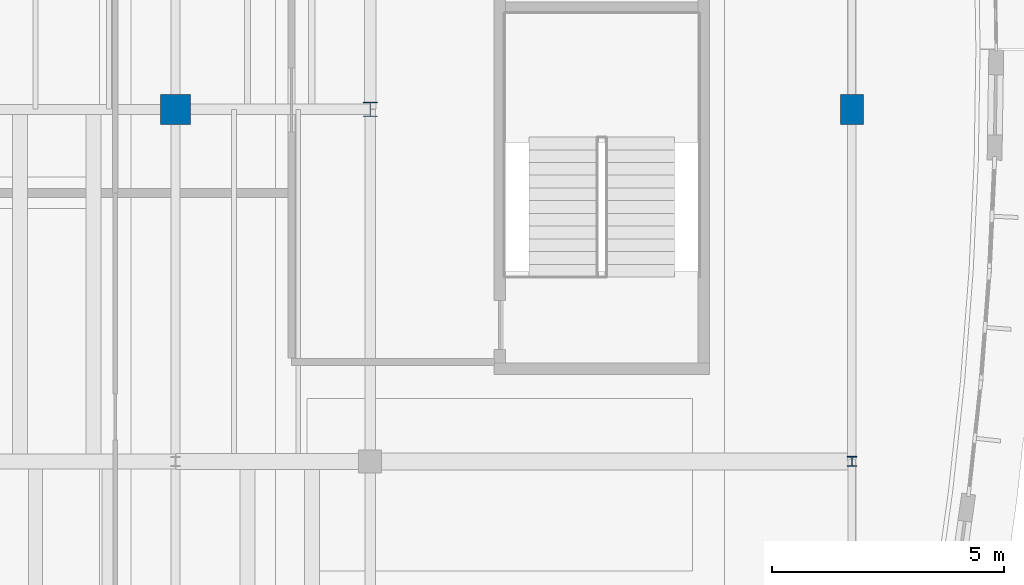
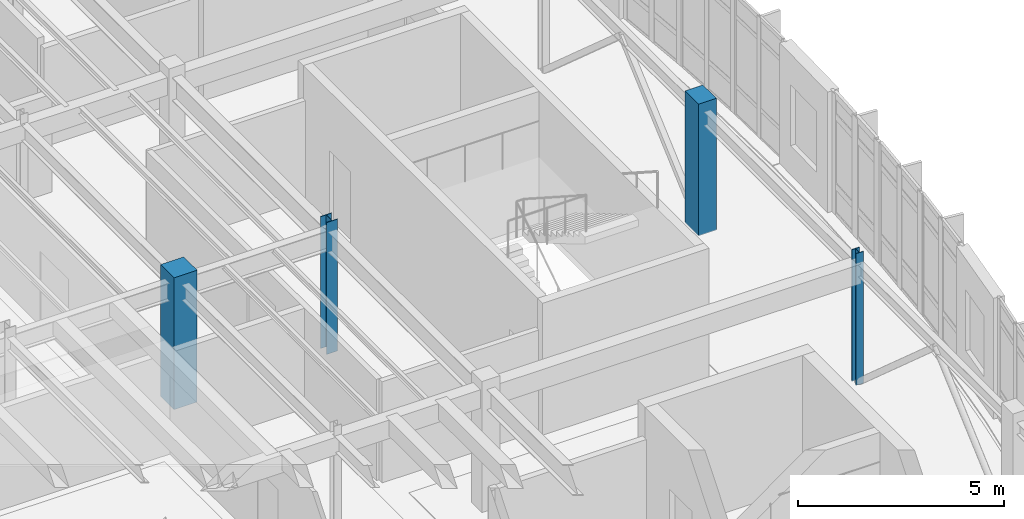
# One storey, part 13 of 111: 4 columns.
"""IFC4 building model written with IfcOpenShell, lengths in metres."""

from ifc_helpers import new_model, si_unit, direction, frame, origin, origin_2d, place, context, subcontext, project, spatial, rectangle, i_section, extrude, material, material_profile, profile_set, type_object, element, save


model = new_model("IFC4")

# Units and contexts
model_context = context("Model", 3, precision=1e-05, world=origin(), true_north=direction((0.0, 1.0)))
body_context = subcontext(model_context, "Body", "Model", "MODEL_VIEW")
ifc_project = project(units=[si_unit("LENGTHUNIT", "METRE"), si_unit("AREAUNIT", "SQUARE_METRE"), si_unit("VOLUMEUNIT", "CUBIC_METRE"), si_unit("PLANEANGLEUNIT", "RADIAN"), si_unit("MASSUNIT", "GRAM", prefix="KILO")], contexts=[model_context])

# Site, building, storey
site_placement = place(None, origin())
site = spatial("IfcSite", under=ifc_project, at=site_placement, CompositionType="ELEMENT")
building_placement = place(site_placement, origin())
building = spatial("IfcBuilding", under=site, at=building_placement, Name="Corveleigh Park Community Centre", CompositionType="ELEMENT")
storey_placement = place(building_placement, frame((0.0, 0.0, 4.800048828125)))
storey = spatial("IfcBuildingStorey", under=building, at=storey_placement, Name="L01", CompositionType="ELEMENT", Elevation=4.800048828125)

# Columns
ifc_material_1 = material(Name="Concrete C40/50", Category="concrete")
ifc_material_profile_1 = material_profile(ifc_material_1, rectangle(XDim=0.5, YDim=0.64990234375, at=origin_2d()), Name="RC-500x650", Category="concrete")
ifc_profile_set_1 = profile_set([ifc_material_profile_1], Name="Concrete C40/50")
column_type_1 = type_object("IfcColumnType", Name="COL-RC-500x650", PredefinedType="COLUMN", material=ifc_profile_set_1)
column_1_placement = place(storey_placement, frame((168.39990234375, 81.39990234375, 0.0), z_axis=(0.0, 0.0, 1.0), x_axis=(1.0, 0.0, 0.0)))
element("IfcColumn", 1, at=column_1_placement, inside=storey, type_object=column_type_1, Name="Column V4-X7Y3 L01", PredefinedType="COLUMN", context=body_context, shape_type="SweptSolid", body=[
    extrude(rectangle(XDim=0.5, YDim=0.64990234375, at=origin_2d()), origin(), (0.0, 0.0, 1.0), 3.89990234375),
])
ifc_material_profile_2 = material_profile(ifc_material_1, rectangle(XDim=0.64990234375, YDim=0.64990234375, at=origin_2d()), Name="RC-650x650", Category="concrete")
ifc_profile_set_2 = profile_set([ifc_material_profile_2], Name="Concrete C40/50")
column_type_2 = type_object("IfcColumnType", Name="COL-RC-650x650", PredefinedType="COLUMN", material=ifc_profile_set_2)
column_2_placement = place(storey_placement, frame((153.800048828125, 81.39990234375, 0.0), z_axis=(0.0, 0.0, 1.0), x_axis=(1.0, 0.0, 0.0)))
element("IfcColumn", 2, at=column_2_placement, inside=storey, type_object=column_type_2, Name="Column V4-X5Y3 L01", PredefinedType="COLUMN", context=body_context, shape_type="SweptSolid", body=[
    extrude(rectangle(XDim=0.64990234375, YDim=0.64990234375, at=origin_2d()), origin(), (0.0, 0.0, 1.0), 3.89990234375),
])
ifc_material_2 = material(Name="Steel S355", Category="steel")
ifc_material_profile_3 = material_profile(ifc_material_2, i_section(OverallWidth=0.206298828125, OverallDepth=0.2158203125, WebThickness=0.010009765625, FlangeThickness=0.017333984375, at=origin_2d()), Name="UKC 203x203x71", Category="steel")
ifc_profile_set_3 = profile_set([ifc_material_profile_3], Name="Steel S355")
column_type_3 = type_object("IfcColumnType", Name="COL-STL-UKC203x71", PredefinedType="COLUMN", material=ifc_profile_set_3)
column_3_placement = place(storey_placement, frame((168.39990234375, 73.800048828125, 0.0), z_axis=(0.0, 0.0, 1.0), x_axis=(1.0, 0.0, 0.0)))
element("IfcColumn", 3, at=column_3_placement, inside=storey, type_object=column_type_3, Name="Column V4-X7Y2 L01", PredefinedType="COLUMN", context=body_context, shape_type="SweptSolid", body=[
    extrude(i_section(OverallWidth=0.206298828125, OverallDepth=0.2158203125, WebThickness=0.010009765625, FlangeThickness=0.017333984375, at=origin_2d()), origin(), (0.0, 0.0, 1.0), 3.89990234375),
])
ifc_material_profile_4 = material_profile(ifc_material_2, i_section(OverallWidth=0.307373046875, OverallDepth=0.314453125, WebThickness=0.011962890625, FlangeThickness=0.018798828125, at=origin_2d()), Name="UKC 305x305x118", Category="steel")
ifc_profile_set_4 = profile_set([ifc_material_profile_4], Name="Steel S355")
column_type_4 = type_object("IfcColumnType", Name="COL-STL-UKC305x118", PredefinedType="COLUMN", material=ifc_profile_set_4)
column_4_placement = place(storey_placement, frame((158.0, 81.39990234375, 0.0), z_axis=(0.0, 0.0, 1.0), x_axis=(1.0, 0.0, 0.0)))
element("IfcColumn", 4, at=column_4_placement, inside=storey, type_object=column_type_4, Name="Column V4-X6Y3 L01", PredefinedType="COLUMN", context=body_context, shape_type="SweptSolid", body=[
    extrude(i_section(OverallWidth=0.307373046875, OverallDepth=0.314453125, WebThickness=0.011962890625, FlangeThickness=0.018798828125, at=origin_2d()), origin(), (0.0, 0.0, 1.0), 3.89990234375),
])

save(model, "model.ifc")
